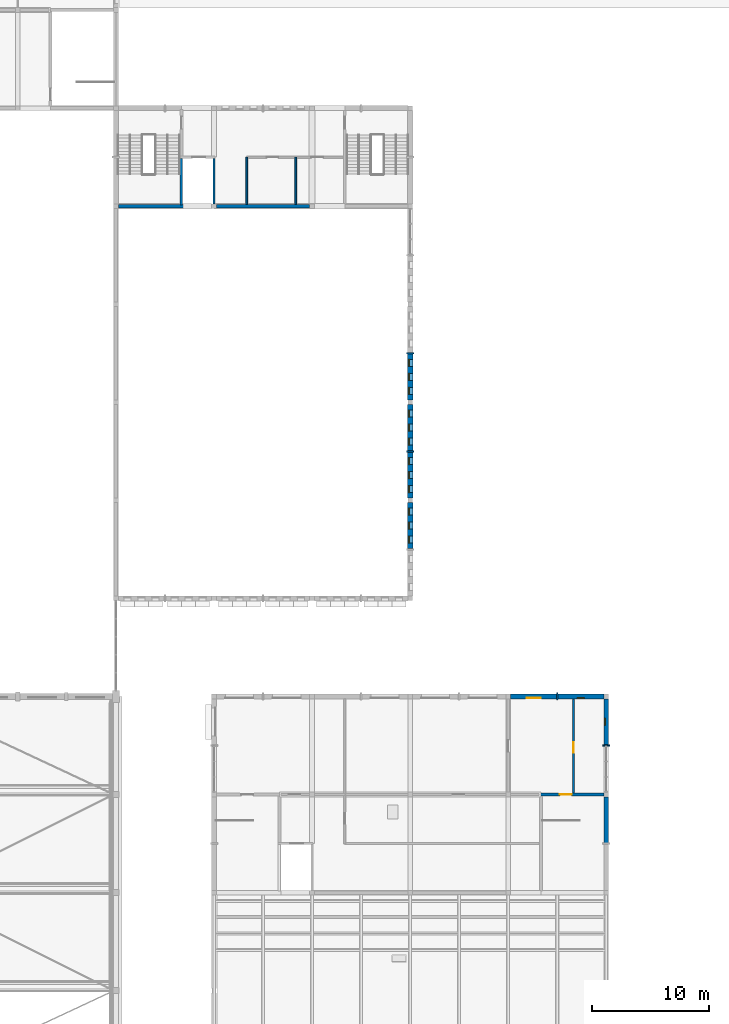
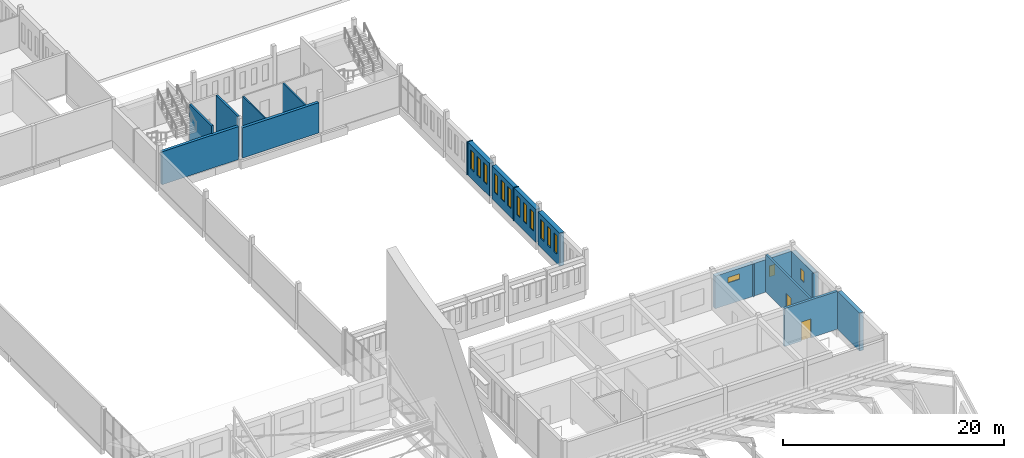
# One storey, part 87 of 101: 20 walls, 15 windows, 2 doors, 17 openings.
"""IFC4 building model written with IfcOpenShell, lengths in metres."""

from ifc_helpers import new_model, si_unit, direction, frame, frame_2d, origin, place, context, subcontext, project, spatial, rectangle, extrude, material, layer, layer_set, type_object, element, fill, save


model = new_model("IFC4")

# Units and contexts
model_context = context("Model", 3, precision=1e-05, world=origin(), true_north=direction((0.0, 1.0)))
body_context = subcontext(model_context, "Body", "Model", "MODEL_VIEW")
ifc_project = project(units=[si_unit("LENGTHUNIT", "METRE"), si_unit("AREAUNIT", "SQUARE_METRE"), si_unit("VOLUMEUNIT", "CUBIC_METRE"), si_unit("PLANEANGLEUNIT", "RADIAN"), si_unit("MASSUNIT", "GRAM", prefix="KILO")], contexts=[model_context])

# Site, building, storey
site_placement = place(None, origin())
site = spatial("IfcSite", under=ifc_project, at=site_placement, CompositionType="ELEMENT")
building_placement = place(site_placement, origin())
building = spatial("IfcBuilding", under=site, at=building_placement, Name="Fescue Hill Polytechnic", CompositionType="ELEMENT")
storey_placement = place(building_placement, frame((0.0, 0.0, 9.0)))
storey = spatial("IfcBuildingStorey", under=building, at=storey_placement, Name="L02", CompositionType="ELEMENT", Elevation=9.0)

# Wall, opening, door
ifc_material_1 = material(Name="Concrete 40 MPa", Category="concrete")
ifc_layer_1 = layer(ifc_material_1, 0.25)
ifc_layer_set_1 = layer_set([ifc_layer_1], Name="Concrete 40 MPa")
wall_type_1 = type_object("IfcWallType", Name="Core wall 250", PredefinedType="SHEAR", material=ifc_layer_set_1)
wall_1_placement = place(storey_placement, frame((153.875, 42.0, 0.0), z_axis=(0.0, 0.0, 1.0), x_axis=(1.0, 0.0, 0.0)))
wall_1 = element("IfcWall", 1, at=wall_1_placement, inside=storey, type_object=wall_type_1, Name="CW-L02-ST-V3-2-21", PredefinedType="SHEAR", context=body_context, shape_type="SweptSolid", body=[
    extrude(rectangle(XDim=5.52490234375, YDim=0.25, at=frame_2d((2.762451171875, 0.0))), origin(), (0.0, 0.0, 1.0), 4.199951171875),
])
opening_1_placement = place(wall_1_placement, frame((1.75, 0.0, 0.0)))
opening_1 = element("IfcOpeningElement", 2, at=opening_1_placement, cuts=wall_1, Name="Opening D2082", PredefinedType="OPENING", context=body_context, shape_type="SweptSolid", body=[
    extrude(rectangle(XDim=1.0, YDim=2.10009765625, at=frame_2d((0.5, 1.050048828125))), frame((0.0, 0.135009765625, 0.0), z_axis=(0.0, -1.0, 0.0), x_axis=(1.0, 0.0, 0.0)), (0.0, 0.0, 1.0), 0.27001953125),
])
ifc_material_2 = material(Name="Steel fire door", Category="steel")
door_type_1 = type_object("IfcDoorType", Name="Door single swing 1000x2100 stair fire rated", OperationType="NOTDEFINED", PredefinedType="DOOR", material=ifc_material_2)
door_1_placement = place(opening_1_placement, origin())
door_1 = element("IfcDoor", 3, at=door_1_placement, inside=storey, type_object=door_type_1, Name="L02 ST-V3-2 stair door", OperationType="SINGLE_SWING_LEFT", OverallHeight=2.10009765625, OverallWidth=1.0, PredefinedType="DOOR", context=body_context, shape_type="SweptSolid", body=[
    extrude(rectangle(XDim=1.0, YDim=2.10009765625, at=frame_2d((0.5, 1.050048828125))), frame((0.0, 0.02490234375, 0.0), z_axis=(0.0, -1.0, 0.0), x_axis=(1.0, 0.0, 0.0)), (0.0, 0.0, 1.0), 0.050048828125),
])
fill(opening_1, door_1)

# Wall, openings, windows
ifc_layer_2 = layer(ifc_material_1, 0.449951171875)
ifc_layer_set_2 = layer_set([ifc_layer_2], Name="Concrete 40 MPa")
wall_type_2 = type_object("IfcWallType", Name="Exterior wall board-marked concrete 450", PredefinedType="SOLIDWALL", material=ifc_layer_set_2)
wall_2_placement = place(storey_placement, frame((142.800048828125, 63.06005859375, 0.0), z_axis=(0.0, 0.0, 1.0), x_axis=(0.0, 1.0, 0.0)))
wall_2 = element("IfcWall", 4, at=wall_2_placement, inside=storey, type_object=wall_type_2, Name="EW-L02-V2-21", PredefinedType="SOLIDWALL", context=body_context, shape_type="SweptSolid", body=[
    extrude(rectangle(XDim=3.93994140625, YDim=0.449951171875, at=frame_2d((1.969970703125, 0.0))), origin(), (0.0, 0.0, 1.0), 3.64990234375),
])
opening_2_placement = place(wall_2_placement, frame((0.469970703125, 0.0, 1.0)))
opening_2 = element("IfcOpeningElement", 5, at=opening_2_placement, cuts=wall_2, Name="Opening W6", PredefinedType="OPENING", context=body_context, shape_type="SweptSolid", body=[
    extrude(rectangle(XDim=0.60009765625, YDim=2.10009765625, at=frame_2d((0.300048828125, 1.050048828125))), frame((0.0, 0.23486328125, 0.0), z_axis=(0.0, -1.0, 0.0), x_axis=(1.0, 0.0, 0.0)), (0.0, 0.0, 1.0), 0.469970703125),
])
opening_3_placement = place(wall_2_placement, frame((1.669921875, 0.0, 1.0)))
opening_3 = element("IfcOpeningElement", 6, at=opening_3_placement, cuts=wall_2, Name="Opening W6", PredefinedType="OPENING", context=body_context, shape_type="SweptSolid", body=[
    extrude(rectangle(XDim=0.60009765625, YDim=2.10009765625, at=frame_2d((0.300048828125, 1.050048828125))), frame((0.0, 0.23486328125, 0.0), z_axis=(0.0, -1.0, 0.0), x_axis=(1.0, 0.0, 0.0)), (0.0, 0.0, 1.0), 0.469970703125),
])
opening_4_placement = place(wall_2_placement, frame((2.8701171875, 0.0, 1.0)))
opening_4 = element("IfcOpeningElement", 7, at=opening_4_placement, cuts=wall_2, Name="Opening W6", PredefinedType="OPENING", context=body_context, shape_type="SweptSolid", body=[
    extrude(rectangle(XDim=0.60009765625, YDim=2.10009765625, at=frame_2d((0.300048828125, 1.050048828125))), frame((0.0, 0.23486328125, 0.0), z_axis=(0.0, -1.0, 0.0), x_axis=(1.0, 0.0, 0.0)), (0.0, 0.0, 1.0), 0.469970703125),
])
ifc_material_3 = material(Name="Powder-coated aluminium and glass", Category="aluminium")
window_type_1 = type_object("IfcWindowType", Name="Window slot 600x2100", PartitioningType="SINGLE_PANEL", PredefinedType="WINDOW", material=ifc_material_3)
window_1_placement = place(opening_2_placement, origin())
window_1 = element("IfcWindow", 8, at=window_1_placement, inside=storey, type_object=window_type_1, Name="WN-L02-V2-28", OverallHeight=2.10009765625, OverallWidth=0.60009765625, PartitioningType="SINGLE_PANEL", PredefinedType="WINDOW", context=body_context, shape_type="SweptSolid", body=[
    extrude(rectangle(XDim=0.60009765625, YDim=2.10009765625, at=frame_2d((0.300048828125, 1.050048828125))), frame((0.0, 0.135009765625, 0.0), z_axis=(0.0, -1.0, 0.0), x_axis=(1.0, 0.0, 0.0)), (0.0, 0.0, 1.0), 0.06005859375),
])
fill(opening_2, window_1)
window_2_placement = place(opening_3_placement, origin())
window_2 = element("IfcWindow", 9, at=window_2_placement, inside=storey, type_object=window_type_1, Name="WN-L02-V2-29", OverallHeight=2.10009765625, OverallWidth=0.60009765625, PartitioningType="SINGLE_PANEL", PredefinedType="WINDOW", context=body_context, shape_type="SweptSolid", body=[
    extrude(rectangle(XDim=0.60009765625, YDim=2.10009765625, at=frame_2d((0.300048828125, 1.050048828125))), frame((0.0, 0.135009765625, 0.0), z_axis=(0.0, -1.0, 0.0), x_axis=(1.0, 0.0, 0.0)), (0.0, 0.0, 1.0), 0.06005859375),
])
fill(opening_3, window_2)
window_3_placement = place(opening_4_placement, origin())
window_3 = element("IfcWindow", 10, at=window_3_placement, inside=storey, type_object=window_type_1, Name="WN-L02-V2-30", OverallHeight=2.10009765625, OverallWidth=0.60009765625, PartitioningType="SINGLE_PANEL", PredefinedType="WINDOW", context=body_context, shape_type="SweptSolid", body=[
    extrude(rectangle(XDim=0.60009765625, YDim=2.10009765625, at=frame_2d((0.300048828125, 1.050048828125))), frame((0.0, 0.135009765625, 0.0), z_axis=(0.0, -1.0, 0.0), x_axis=(1.0, 0.0, 0.0)), (0.0, 0.0, 1.0), 0.06005859375),
])
fill(opening_4, window_3)

wall_3_placement = place(storey_placement, frame((142.800048828125, 67.39990234375, 0.0), z_axis=(0.0, 0.0, 1.0), x_axis=(0.0, 1.0, 0.0)))
wall_3 = element("IfcWall", 11, at=wall_3_placement, inside=storey, type_object=wall_type_2, Name="EW-L02-V2-22", PredefinedType="SOLIDWALL", context=body_context, shape_type="SweptSolid", body=[
    extrude(rectangle(XDim=3.940185546875, YDim=0.449951171875, at=frame_2d((1.97021484375, 0.0))), origin(), (0.0, 0.0, 1.0), 3.64990234375),
])
opening_5_placement = place(wall_3_placement, frame((0.469970703125, 0.0, 1.0)))
opening_5 = element("IfcOpeningElement", 12, at=opening_5_placement, cuts=wall_3, Name="Opening W6", PredefinedType="OPENING", context=body_context, shape_type="SweptSolid", body=[
    extrude(rectangle(XDim=0.60009765625, YDim=2.10009765625, at=frame_2d((0.300048828125, 1.050048828125))), frame((0.0, 0.23486328125, 0.0), z_axis=(0.0, -1.0, 0.0), x_axis=(1.0, 0.0, 0.0)), (0.0, 0.0, 1.0), 0.469970703125),
])
opening_6_placement = place(wall_3_placement, frame((1.669921875, 0.0, 1.0)))
opening_6 = element("IfcOpeningElement", 13, at=opening_6_placement, cuts=wall_3, Name="Opening W6", PredefinedType="OPENING", context=body_context, shape_type="SweptSolid", body=[
    extrude(rectangle(XDim=0.60009765625, YDim=2.10009765625, at=frame_2d((0.300048828125, 1.050048828125))), frame((0.0, 0.23486328125, 0.0), z_axis=(0.0, -1.0, 0.0), x_axis=(1.0, 0.0, 0.0)), (0.0, 0.0, 1.0), 0.469970703125),
])
opening_7_placement = place(wall_3_placement, frame((2.8701171875, 0.0, 1.0)))
opening_7 = element("IfcOpeningElement", 14, at=opening_7_placement, cuts=wall_3, Name="Opening W6", PredefinedType="OPENING", context=body_context, shape_type="SweptSolid", body=[
    extrude(rectangle(XDim=0.60009765625, YDim=2.10009765625, at=frame_2d((0.300048828125, 1.050048828125))), frame((0.0, 0.23486328125, 0.0), z_axis=(0.0, -1.0, 0.0), x_axis=(1.0, 0.0, 0.0)), (0.0, 0.0, 1.0), 0.469970703125),
])
window_4_placement = place(opening_5_placement, origin())
window_4 = element("IfcWindow", 15, at=window_4_placement, inside=storey, type_object=window_type_1, Name="WN-L02-V2-31", OverallHeight=2.10009765625, OverallWidth=0.60009765625, PartitioningType="SINGLE_PANEL", PredefinedType="WINDOW", context=body_context, shape_type="SweptSolid", body=[
    extrude(rectangle(XDim=0.60009765625, YDim=2.10009765625, at=frame_2d((0.300048828125, 1.050048828125))), frame((0.0, 0.135009765625, 0.0), z_axis=(0.0, -1.0, 0.0), x_axis=(1.0, 0.0, 0.0)), (0.0, 0.0, 1.0), 0.06005859375),
])
fill(opening_5, window_4)
window_5_placement = place(opening_6_placement, origin())
window_5 = element("IfcWindow", 16, at=window_5_placement, inside=storey, type_object=window_type_1, Name="WN-L02-V2-32", OverallHeight=2.10009765625, OverallWidth=0.60009765625, PartitioningType="SINGLE_PANEL", PredefinedType="WINDOW", context=body_context, shape_type="SweptSolid", body=[
    extrude(rectangle(XDim=0.60009765625, YDim=2.10009765625, at=frame_2d((0.300048828125, 1.050048828125))), frame((0.0, 0.135009765625, 0.0), z_axis=(0.0, -1.0, 0.0), x_axis=(1.0, 0.0, 0.0)), (0.0, 0.0, 1.0), 0.06005859375),
])
fill(opening_6, window_5)
window_6_placement = place(opening_7_placement, origin())
window_6 = element("IfcWindow", 17, at=window_6_placement, inside=storey, type_object=window_type_1, Name="WN-L02-V2-33", OverallHeight=2.10009765625, OverallWidth=0.60009765625, PartitioningType="SINGLE_PANEL", PredefinedType="WINDOW", context=body_context, shape_type="SweptSolid", body=[
    extrude(rectangle(XDim=0.60009765625, YDim=2.10009765625, at=frame_2d((0.300048828125, 1.050048828125))), frame((0.0, 0.135009765625, 0.0), z_axis=(0.0, -1.0, 0.0), x_axis=(1.0, 0.0, 0.0)), (0.0, 0.0, 1.0), 0.06005859375),
])
fill(opening_7, window_6)

wall_4_placement = place(storey_placement, frame((142.800048828125, 71.4599609375, 0.0), z_axis=(0.0, 0.0, 1.0), x_axis=(0.0, 1.0, 0.0)))
wall_4 = element("IfcWall", 18, at=wall_4_placement, inside=storey, type_object=wall_type_2, Name="EW-L02-V2-23", PredefinedType="SOLIDWALL", context=body_context, shape_type="SweptSolid", body=[
    extrude(rectangle(XDim=3.93994140625, YDim=0.449951171875, at=frame_2d((1.969970703125, 0.0))), origin(), (0.0, 0.0, 1.0), 3.64990234375),
])
opening_8_placement = place(wall_4_placement, frame((0.469970703125, 0.0, 1.0)))
opening_8 = element("IfcOpeningElement", 19, at=opening_8_placement, cuts=wall_4, Name="Opening W6", PredefinedType="OPENING", context=body_context, shape_type="SweptSolid", body=[
    extrude(rectangle(XDim=0.60009765625, YDim=2.10009765625, at=frame_2d((0.300048828125, 1.050048828125))), frame((0.0, 0.23486328125, 0.0), z_axis=(0.0, -1.0, 0.0), x_axis=(1.0, 0.0, 0.0)), (0.0, 0.0, 1.0), 0.469970703125),
])
opening_9_placement = place(wall_4_placement, frame((1.669921875, 0.0, 1.0)))
opening_9 = element("IfcOpeningElement", 20, at=opening_9_placement, cuts=wall_4, Name="Opening W6", PredefinedType="OPENING", context=body_context, shape_type="SweptSolid", body=[
    extrude(rectangle(XDim=0.60009765625, YDim=2.10009765625, at=frame_2d((0.300048828125, 1.050048828125))), frame((0.0, 0.23486328125, 0.0), z_axis=(0.0, -1.0, 0.0), x_axis=(1.0, 0.0, 0.0)), (0.0, 0.0, 1.0), 0.469970703125),
])
opening_10_placement = place(wall_4_placement, frame((2.8701171875, 0.0, 1.0)))
opening_10 = element("IfcOpeningElement", 21, at=opening_10_placement, cuts=wall_4, Name="Opening W6", PredefinedType="OPENING", context=body_context, shape_type="SweptSolid", body=[
    extrude(rectangle(XDim=0.60009765625, YDim=2.10009765625, at=frame_2d((0.300048828125, 1.050048828125))), frame((0.0, 0.23486328125, 0.0), z_axis=(0.0, -1.0, 0.0), x_axis=(1.0, 0.0, 0.0)), (0.0, 0.0, 1.0), 0.469970703125),
])
window_7_placement = place(opening_8_placement, origin())
window_7 = element("IfcWindow", 22, at=window_7_placement, inside=storey, type_object=window_type_1, Name="WN-L02-V2-34", OverallHeight=2.10009765625, OverallWidth=0.60009765625, PartitioningType="SINGLE_PANEL", PredefinedType="WINDOW", context=body_context, shape_type="SweptSolid", body=[
    extrude(rectangle(XDim=0.60009765625, YDim=2.10009765625, at=frame_2d((0.300048828125, 1.050048828125))), frame((0.0, 0.135009765625, 0.0), z_axis=(0.0, -1.0, 0.0), x_axis=(1.0, 0.0, 0.0)), (0.0, 0.0, 1.0), 0.06005859375),
])
fill(opening_8, window_7)
window_8_placement = place(opening_9_placement, origin())
window_8 = element("IfcWindow", 23, at=window_8_placement, inside=storey, type_object=window_type_1, Name="WN-L02-V2-35", OverallHeight=2.10009765625, OverallWidth=0.60009765625, PartitioningType="SINGLE_PANEL", PredefinedType="WINDOW", context=body_context, shape_type="SweptSolid", body=[
    extrude(rectangle(XDim=0.60009765625, YDim=2.10009765625, at=frame_2d((0.300048828125, 1.050048828125))), frame((0.0, 0.135009765625, 0.0), z_axis=(0.0, -1.0, 0.0), x_axis=(1.0, 0.0, 0.0)), (0.0, 0.0, 1.0), 0.06005859375),
])
fill(opening_9, window_8)
window_9_placement = place(opening_10_placement, origin())
window_9 = element("IfcWindow", 24, at=window_9_placement, inside=storey, type_object=window_type_1, Name="WN-L02-V2-36", OverallHeight=2.10009765625, OverallWidth=0.60009765625, PartitioningType="SINGLE_PANEL", PredefinedType="WINDOW", context=body_context, shape_type="SweptSolid", body=[
    extrude(rectangle(XDim=0.60009765625, YDim=2.10009765625, at=frame_2d((0.300048828125, 1.050048828125))), frame((0.0, 0.135009765625, 0.0), z_axis=(0.0, -1.0, 0.0), x_axis=(1.0, 0.0, 0.0)), (0.0, 0.0, 1.0), 0.06005859375),
])
fill(opening_10, window_9)

wall_5_placement = place(storey_placement, frame((142.800048828125, 75.800048828125, 0.0), z_axis=(0.0, 0.0, 1.0), x_axis=(0.0, 1.0, 0.0)))
wall_5 = element("IfcWall", 25, at=wall_5_placement, inside=storey, type_object=wall_type_2, Name="EW-L02-V2-24", PredefinedType="SOLIDWALL", context=body_context, shape_type="SweptSolid", body=[
    extrude(rectangle(XDim=3.93994140625, YDim=0.449951171875, at=frame_2d((1.969970703125, 0.0))), origin(), (0.0, 0.0, 1.0), 3.64990234375),
])
opening_11_placement = place(wall_5_placement, frame((0.469970703125, 0.0, 1.0)))
opening_11 = element("IfcOpeningElement", 26, at=opening_11_placement, cuts=wall_5, Name="Opening W6", PredefinedType="OPENING", context=body_context, shape_type="SweptSolid", body=[
    extrude(rectangle(XDim=0.60009765625, YDim=2.10009765625, at=frame_2d((0.300048828125, 1.050048828125))), frame((0.0, 0.23486328125, 0.0), z_axis=(0.0, -1.0, 0.0), x_axis=(1.0, 0.0, 0.0)), (0.0, 0.0, 1.0), 0.469970703125),
])
opening_12_placement = place(wall_5_placement, frame((1.669921875, 0.0, 1.0)))
opening_12 = element("IfcOpeningElement", 27, at=opening_12_placement, cuts=wall_5, Name="Opening W6", PredefinedType="OPENING", context=body_context, shape_type="SweptSolid", body=[
    extrude(rectangle(XDim=0.60009765625, YDim=2.10009765625, at=frame_2d((0.300048828125, 1.050048828125))), frame((0.0, 0.23486328125, 0.0), z_axis=(0.0, -1.0, 0.0), x_axis=(1.0, 0.0, 0.0)), (0.0, 0.0, 1.0), 0.469970703125),
])
opening_13_placement = place(wall_5_placement, frame((2.8701171875, 0.0, 1.0)))
opening_13 = element("IfcOpeningElement", 28, at=opening_13_placement, cuts=wall_5, Name="Opening W6", PredefinedType="OPENING", context=body_context, shape_type="SweptSolid", body=[
    extrude(rectangle(XDim=0.60009765625, YDim=2.10009765625, at=frame_2d((0.300048828125, 1.050048828125))), frame((0.0, 0.23486328125, 0.0), z_axis=(0.0, -1.0, 0.0), x_axis=(1.0, 0.0, 0.0)), (0.0, 0.0, 1.0), 0.469970703125),
])
window_10_placement = place(opening_11_placement, origin())
window_10 = element("IfcWindow", 29, at=window_10_placement, inside=storey, type_object=window_type_1, Name="WN-L02-V2-37", OverallHeight=2.10009765625, OverallWidth=0.60009765625, PartitioningType="SINGLE_PANEL", PredefinedType="WINDOW", context=body_context, shape_type="SweptSolid", body=[
    extrude(rectangle(XDim=0.60009765625, YDim=2.10009765625, at=frame_2d((0.300048828125, 1.050048828125))), frame((0.0, 0.135009765625, 0.0), z_axis=(0.0, -1.0, 0.0), x_axis=(1.0, 0.0, 0.0)), (0.0, 0.0, 1.0), 0.06005859375),
])
fill(opening_11, window_10)
window_11_placement = place(opening_12_placement, origin())
window_11 = element("IfcWindow", 30, at=window_11_placement, inside=storey, type_object=window_type_1, Name="WN-L02-V2-38", OverallHeight=2.10009765625, OverallWidth=0.60009765625, PartitioningType="SINGLE_PANEL", PredefinedType="WINDOW", context=body_context, shape_type="SweptSolid", body=[
    extrude(rectangle(XDim=0.60009765625, YDim=2.10009765625, at=frame_2d((0.300048828125, 1.050048828125))), frame((0.0, 0.135009765625, 0.0), z_axis=(0.0, -1.0, 0.0), x_axis=(1.0, 0.0, 0.0)), (0.0, 0.0, 1.0), 0.06005859375),
])
fill(opening_12, window_11)
window_12_placement = place(opening_13_placement, origin())
window_12 = element("IfcWindow", 31, at=window_12_placement, inside=storey, type_object=window_type_1, Name="WN-L02-V2-39", OverallHeight=2.10009765625, OverallWidth=0.60009765625, PartitioningType="SINGLE_PANEL", PredefinedType="WINDOW", context=body_context, shape_type="SweptSolid", body=[
    extrude(rectangle(XDim=0.60009765625, YDim=2.10009765625, at=frame_2d((0.300048828125, 1.050048828125))), frame((0.0, 0.135009765625, 0.0), z_axis=(0.0, -1.0, 0.0), x_axis=(1.0, 0.0, 0.0)), (0.0, 0.0, 1.0), 0.06005859375),
])
fill(opening_13, window_12)

# Wall, opening, window
ifc_material_4 = material(Name="Clay brick masonry", Category="masonry")
ifc_layer_3 = layer(ifc_material_4, 0.419921875)
ifc_layer_set_3 = layer_set([ifc_layer_3], Name="Clay brick masonry")
wall_type_3 = type_object("IfcWallType", Name="Exterior wall buff-red brick cavity 420", PredefinedType="SOLIDWALL", material=ifc_layer_set_3)
wall_6_placement = place(storey_placement, frame((159.60009765625, 46.260009765625, 0.0), z_axis=(0.0, 0.0, 1.0), x_axis=(0.0, 1.0, 0.0)))
wall_6 = element("IfcWall", 32, at=wall_6_placement, inside=storey, type_object=wall_type_3, Name="EW-L02-V3-4", PredefinedType="SOLIDWALL", context=body_context, shape_type="SweptSolid", body=[
    extrude(rectangle(XDim=3.93994140625, YDim=0.419921875, at=frame_2d((1.969970703125, 0.0))), origin(), (0.0, 0.0, 1.0), 3.60009765625),
])
opening_14_placement = place(wall_6_placement, frame((1.669921875, 0.0, 1.5)))
opening_14 = element("IfcOpeningElement", 33, at=opening_14_placement, cuts=wall_6, Name="Opening W11", PredefinedType="OPENING", context=body_context, shape_type="SweptSolid", body=[
    extrude(rectangle(XDim=0.60009765625, YDim=1.199951171875, at=frame_2d((0.300048828125, 0.60009765625))), frame((0.0, 0.219970703125, 0.0), z_axis=(0.0, -1.0, 0.0), x_axis=(1.0, 0.0, 0.0)), (0.0, 0.0, 1.0), 0.43994140625),
])
window_type_2 = type_object("IfcWindowType", Name="Window WC high-level 600x1200", PartitioningType="SINGLE_PANEL", PredefinedType="WINDOW", material=ifc_material_3)
window_13_placement = place(opening_14_placement, origin())
window_13 = element("IfcWindow", 34, at=window_13_placement, inside=storey, type_object=window_type_2, Name="WN-L02-V3-1", OverallHeight=1.199951171875, OverallWidth=0.60009765625, PartitioningType="SINGLE_PANEL", PredefinedType="WINDOW", context=body_context, shape_type="SweptSolid", body=[
    extrude(rectangle(XDim=0.60009765625, YDim=1.199951171875, at=frame_2d((0.300048828125, 0.60009765625))), frame((0.0, 0.150146484375, 0.0), z_axis=(0.0, -1.0, 0.0), x_axis=(1.0, 0.0, 0.0)), (0.0, 0.0, 1.0), 0.06005859375),
])
fill(opening_14, window_13)

wall_7_placement = place(storey_placement, frame((159.39990234375, 50.39990234375, 0.0), z_axis=(0.0, 0.0, 1.0), x_axis=(-1.0, 0.0, 0.0)))
wall_7 = element("IfcWall", 35, at=wall_7_placement, inside=storey, type_object=wall_type_3, Name="EW-L02-V3-5", PredefinedType="SOLIDWALL", context=body_context, shape_type="SweptSolid", body=[
    extrude(rectangle(XDim=3.93994140625, YDim=0.419921875, at=frame_2d((1.969970703125, 0.0))), origin(), (0.0, 0.0, 1.0), 3.60009765625),
])
opening_15_placement = place(wall_7_placement, frame((1.669921875, 0.0, 1.5)))
opening_15 = element("IfcOpeningElement", 36, at=opening_15_placement, cuts=wall_7, Name="Opening W11", PredefinedType="OPENING", context=body_context, shape_type="SweptSolid", body=[
    extrude(rectangle(XDim=0.60009765625, YDim=1.199951171875, at=frame_2d((0.300048828125, 0.60009765625))), frame((0.0, 0.219970703125, 0.0), z_axis=(0.0, -1.0, 0.0), x_axis=(1.0, 0.0, 0.0)), (0.0, 0.0, 1.0), 0.43994140625),
])
window_14_placement = place(opening_15_placement, origin())
window_14 = element("IfcWindow", 37, at=window_14_placement, inside=storey, type_object=window_type_2, Name="WN-L02-V3-2", OverallHeight=1.199951171875, OverallWidth=0.60009765625, PartitioningType="SINGLE_PANEL", PredefinedType="WINDOW", context=body_context, shape_type="SweptSolid", body=[
    extrude(rectangle(XDim=0.60009765625, YDim=1.199951171875, at=frame_2d((0.300048828125, 0.60009765625))), frame((0.0, 0.150146484375, 0.0), z_axis=(0.0, -1.0, 0.0), x_axis=(1.0, 0.0, 0.0)), (0.0, 0.0, 1.0), 0.06005859375),
])
fill(opening_15, window_14)

wall_8_placement = place(storey_placement, frame((155.340087890625, 50.39990234375, 0.0), z_axis=(0.0, 0.0, 1.0), x_axis=(-1.0, 0.0, 0.0)))
wall_8 = element("IfcWall", 38, at=wall_8_placement, inside=storey, type_object=wall_type_3, Name="EW-L02-V3-6", PredefinedType="SOLIDWALL", context=body_context, shape_type="SweptSolid", body=[
    extrude(rectangle(XDim=3.940185546875, YDim=0.419921875, at=frame_2d((1.97021484375, 0.0))), origin(), (0.0, 0.0, 1.0), 3.60009765625),
])
opening_16_placement = place(wall_8_placement, frame((1.3701171875, 0.0, 2.39990234375)))
opening_16 = element("IfcOpeningElement", 39, at=opening_16_placement, cuts=wall_8, Name="Opening W12", PredefinedType="OPENING", context=body_context, shape_type="SweptSolid", body=[
    extrude(rectangle(XDim=1.199951171875, YDim=0.60009765625, at=frame_2d((0.60009765625, 0.300048828125))), frame((0.0, 0.219970703125, 0.0), z_axis=(0.0, -1.0, 0.0), x_axis=(1.0, 0.0, 0.0)), (0.0, 0.0, 1.0), 0.43994140625),
])
window_type_3 = type_object("IfcWindowType", Name="Window plant and store high-level 1200x600", PartitioningType="SINGLE_PANEL", PredefinedType="WINDOW", material=ifc_material_3)
window_15_placement = place(opening_16_placement, origin())
window_15 = element("IfcWindow", 40, at=window_15_placement, inside=storey, type_object=window_type_3, Name="WN-L02-V3-3", OverallHeight=0.60009765625, OverallWidth=1.199951171875, PartitioningType="SINGLE_PANEL", PredefinedType="WINDOW", context=body_context, shape_type="SweptSolid", body=[
    extrude(rectangle(XDim=1.199951171875, YDim=0.60009765625, at=frame_2d((0.60009765625, 0.300048828125))), frame((0.0, 0.150146484375, 0.0), z_axis=(0.0, -1.0, 0.0), x_axis=(1.0, 0.0, 0.0)), (0.0, 0.0, 1.0), 0.06005859375),
])
fill(opening_16, window_15)

# Walls
ifc_layer_4 = layer(ifc_material_4, 0.419921875)
ifc_layer_set_4 = layer_set([ifc_layer_4], Name="Clay brick masonry")
wall_type_4 = type_object("IfcWallType", Name="Exterior wall buff-red brick cavity 420 load-bearing", PredefinedType="SOLIDWALL", material=ifc_layer_set_4)
wall_9_placement = place(storey_placement, frame((159.60009765625, 37.860107421875, 0.0), z_axis=(0.0, 0.0, 1.0), x_axis=(0.0, 1.0, 0.0)))
element("IfcWall", 41, at=wall_9_placement, inside=storey, type_object=wall_type_4, Name="EW-L02-V3-2", PredefinedType="SOLIDWALL", context=body_context, shape_type="SweptSolid", body=[
    extrude(rectangle(XDim=3.93994140625, YDim=0.419921875, at=frame_2d((1.969970703125, 0.0))), origin(), (0.0, 0.0, 1.0), 4.199951171875),
])
ifc_layer_5 = layer(ifc_material_1, 0.300048828125)
ifc_layer_set_5 = layer_set([ifc_layer_5], Name="Concrete 40 MPa")
wall_type_5 = type_object("IfcWallType", Name="Hall wall concrete 300 fire rated", PredefinedType="SOLIDWALL", material=ifc_layer_set_5)
wall_10_placement = place(storey_placement, frame((126.199951171875, 92.39990234375, 0.0), z_axis=(0.0, 0.0, 1.0), x_axis=(1.0, 0.0, 0.0)))
element("IfcWall", 42, at=wall_10_placement, inside=storey, type_object=wall_type_5, Name="EW-L02-V2-4", PredefinedType="SOLIDWALL", context=body_context, shape_type="SweptSolid", body=[
    extrude(rectangle(XDim=8.0, YDim=0.300048828125, at=frame_2d((4.0, 0.0))), origin(), (0.0, 0.0, 1.0), 3.35009765625),
])
ifc_layer_6 = layer(ifc_material_1, 0.300048828125)
ifc_layer_set_6 = layer_set([ifc_layer_6], Name="Concrete 40 MPa")
wall_type_6 = type_object("IfcWallType", Name="Hall wall concrete 300 load-bearing REI 120", PredefinedType="SOLIDWALL", material=ifc_layer_set_6)
wall_11_placement = place(storey_placement, frame((117.800048828125, 92.39990234375, 0.0), z_axis=(0.0, 0.0, 1.0), x_axis=(1.0, 0.0, 0.0)))
element("IfcWall", 43, at=wall_11_placement, inside=storey, type_object=wall_type_6, Name="EW-L02-V2-3", PredefinedType="SOLIDWALL", context=body_context, shape_type="SweptSolid", body=[
    extrude(rectangle(XDim=8.0, YDim=0.300048828125, at=frame_2d((4.0, 0.0))), origin(), (0.0, 0.0, 1.0), 3.64990234375),
])
ifc_layer_7 = layer(ifc_material_1, 0.199951171875)
ifc_layer_set_7 = layer_set([ifc_layer_7], Name="Concrete 40 MPa")
wall_type_7 = type_object("IfcWallType", Name="Lift shaft wall 200", PredefinedType="SHEAR", material=ifc_layer_set_7)
wall_12_placement = place(storey_placement, frame((123.199951171875, 92.5, 0.0), z_axis=(0.0, 0.0, 1.0), x_axis=(0.0, 1.0, 0.0)))
element("IfcWall", 44, at=wall_12_placement, inside=storey, type_object=wall_type_7, Name="CW-L02-LF-V2-1-31", PredefinedType="SHEAR", context=body_context, shape_type="SweptSolid", body=[
    extrude(rectangle(XDim=4.0, YDim=0.199951171875, at=frame_2d((2.0, 0.0))), origin(), (0.0, 0.0, 1.0), 4.5),
])
wall_13_placement = place(storey_placement, frame((126.0, 92.60009765625, 0.0), z_axis=(0.0, 0.0, 1.0), x_axis=(0.0, 1.0, 0.0)))
element("IfcWall", 45, at=wall_13_placement, inside=storey, type_object=wall_type_7, Name="CW-L02-LF-V2-1-41", PredefinedType="SHEAR", context=body_context, shape_type="SweptSolid", body=[
    extrude(rectangle(XDim=3.89990234375, YDim=0.199951171875, at=frame_2d((1.949951171875, 0.0))), origin(), (0.0, 0.0, 1.0), 4.5),
])
ifc_material_5 = material(Name="Gypsum board partition")
ifc_layer_8 = layer(ifc_material_5, 0.14990234375)
ifc_layer_set_8 = layer_set([ifc_layer_8], Name="Gypsum board partition")
wall_type_8 = type_object("IfcWallType", Name="Lobby wall 150 EI 60", PredefinedType="PARTITIONING", material=ifc_layer_set_8)
wall_14_placement = place(storey_placement, frame((128.800048828125, 92.550048828125, 0.0), z_axis=(0.0, 0.0, 1.0), x_axis=(0.0, 1.0, 0.0)))
element("IfcWall", 46, at=wall_14_placement, inside=storey, type_object=wall_type_8, Name="IW-L02-118", PredefinedType="PARTITIONING", context=body_context, shape_type="SweptSolid", body=[
    extrude(rectangle(XDim=4.050048828125, YDim=0.14990234375, at=frame_2d((2.02490234375, 0.0))), origin(), (0.0, 0.0, 1.0), 3.35009765625),
])
ifc_layer_9 = layer(ifc_material_5, 0.14990234375)
ifc_layer_set_9 = layer_set([ifc_layer_9], Name="Gypsum board partition")
wall_type_9 = type_object("IfcWallType", Name="Partition stud 150 acoustic", PredefinedType="PARTITIONING", material=ifc_layer_set_9)
wall_15_placement = place(storey_placement, frame((133.0, 92.550048828125, 0.0), z_axis=(0.0, 0.0, 1.0), x_axis=(0.0, 1.0, 0.0)))
element("IfcWall", 47, at=wall_15_placement, inside=storey, type_object=wall_type_9, Name="IW-L02-119", PredefinedType="PARTITIONING", context=body_context, shape_type="SweptSolid", body=[
    extrude(rectangle(XDim=4.050048828125, YDim=0.14990234375, at=frame_2d((2.02490234375, 0.0))), origin(), (0.0, 0.0, 1.0), 3.35009765625),
])

# Wall, opening, door
ifc_material_6 = material(Name="Concrete masonry block 15 MPa", Category="masonry")
ifc_layer_10 = layer(ifc_material_6, 0.199951171875)
ifc_layer_set_10 = layer_set([ifc_layer_10], Name="Concrete masonry block 15 MPa")
wall_type_10 = type_object("IfcWallType", Name="Plant room wall 200 block EI 60", PredefinedType="PARTITIONING", material=ifc_layer_set_10)
wall_16_placement = place(storey_placement, frame((156.800048828125, 42.14990234375, 0.0), z_axis=(0.0, 0.0, 1.0), x_axis=(0.0, 1.0, 0.0)))
wall_16 = element("IfcWall", 48, at=wall_16_placement, inside=storey, type_object=wall_type_10, Name="IW-L02-123", PredefinedType="PARTITIONING", context=body_context, shape_type="SweptSolid", body=[
    extrude(rectangle(XDim=8.0400390625, YDim=0.199951171875, at=frame_2d((4.02001953125, 0.0))), origin(), (0.0, 0.0, 1.0), 4.14990234375),
])
opening_17_placement = place(wall_16_placement, frame((3.449951171875, 0.0, 0.0)))
opening_17 = element("IfcOpeningElement", 49, at=opening_17_placement, cuts=wall_16, Name="Opening D2033", PredefinedType="OPENING", context=body_context, shape_type="SweptSolid", body=[
    extrude(rectangle(XDim=0.89990234375, YDim=2.10009765625, at=frame_2d((0.449951171875, 1.050048828125))), frame((0.0, 0.10986328125, 0.0), z_axis=(0.0, -1.0, 0.0), x_axis=(1.0, 0.0, 0.0)), (0.0, 0.0, 1.0), 0.219970703125),
])
ifc_material_7 = material(Name="Steel", Category="steel")
door_type_2 = type_object("IfcDoorType", Name="Door single swing 900x2100 FD60", OperationType="SINGLE_SWING_LEFT", PredefinedType="DOOR", material=ifc_material_7)
door_2_placement = place(opening_17_placement, origin())
door_2 = element("IfcDoor", 50, at=door_2_placement, inside=storey, type_object=door_type_2, Name="Door D2033", OperationType="SINGLE_SWING_LEFT", OverallHeight=2.10009765625, OverallWidth=0.89990234375, PredefinedType="DOOR", context=body_context, shape_type="SweptSolid", body=[
    extrude(rectangle(XDim=0.89990234375, YDim=2.10009765625, at=frame_2d((0.449951171875, 1.050048828125))), frame((0.0, 0.02490234375, 0.0), z_axis=(0.0, -1.0, 0.0), x_axis=(1.0, 0.0, 0.0)), (0.0, 0.0, 1.0), 0.050048828125),
])
fill(opening_17, door_2)

# Walls
ifc_material_8 = material(Name="Glulam 24f-EX", Category="wood")
ifc_layer_11 = layer(ifc_material_8, 0.60009765625)
ifc_layer_set_11 = layer_set([ifc_layer_11], Name="Glulam 24f-EX")
wall_type_11 = type_object("IfcWallType", Name="Timber fin 120x600", PredefinedType="SOLIDWALL", material=ifc_layer_set_11)
wall_17_placement = place(storey_placement, frame((159.60009765625, 46.139892578125, 0.0), z_axis=(0.0, 0.0, 1.0), x_axis=(0.0, 1.0, 0.0)))
element("IfcWall", 51, at=wall_17_placement, inside=storey, type_object=wall_type_11, Name="PR-L02-V3-2", PredefinedType="SOLIDWALL", context=body_context, shape_type="SweptSolid", body=[
    extrude(rectangle(XDim=0.1201171875, YDim=0.60009765625, at=frame_2d((0.06005859375, 0.0))), origin(), (0.0, 0.0, 1.0), 3.60009765625),
])
wall_18_placement = place(storey_placement, frame((155.4599609375, 50.39990234375, 0.0), z_axis=(0.0, 0.0, 1.0), x_axis=(-1.0, 0.0, 0.0)))
element("IfcWall", 52, at=wall_18_placement, inside=storey, type_object=wall_type_11, Name="PR-L02-V3-3", PredefinedType="SOLIDWALL", context=body_context, shape_type="SweptSolid", body=[
    extrude(rectangle(XDim=0.119873046875, YDim=0.60009765625, at=frame_2d((0.06005859375, 0.0))), origin(), (0.0, 0.0, 1.0), 3.60009765625),
])
wall_19_placement = place(storey_placement, frame((142.800048828125, 71.340087890625, 0.0), z_axis=(0.0, 0.0, 1.0), x_axis=(0.0, 1.0, 0.0)))
element("IfcWall", 53, at=wall_19_placement, inside=storey, type_object=wall_type_11, Name="PR-L02-V2-10", PredefinedType="SOLIDWALL", context=body_context, shape_type="SweptSolid", body=[
    extrude(rectangle(XDim=0.119873046875, YDim=0.60009765625, at=frame_2d((0.06005859375, 0.0))), origin(), (0.0, 0.0, 1.0), 3.64990234375),
])
wall_20_placement = place(storey_placement, frame((142.800048828125, 79.739990234375, 0.0), z_axis=(0.0, 0.0, 1.0), x_axis=(0.0, 1.0, 0.0)))
element("IfcWall", 54, at=wall_20_placement, inside=storey, type_object=wall_type_11, Name="PR-L02-V2-11", PredefinedType="SOLIDWALL", context=body_context, shape_type="SweptSolid", body=[
    extrude(rectangle(XDim=0.1201171875, YDim=0.60009765625, at=frame_2d((0.06005859375, 0.0))), origin(), (0.0, 0.0, 1.0), 3.64990234375),
])

save(model, "model.ifc")
